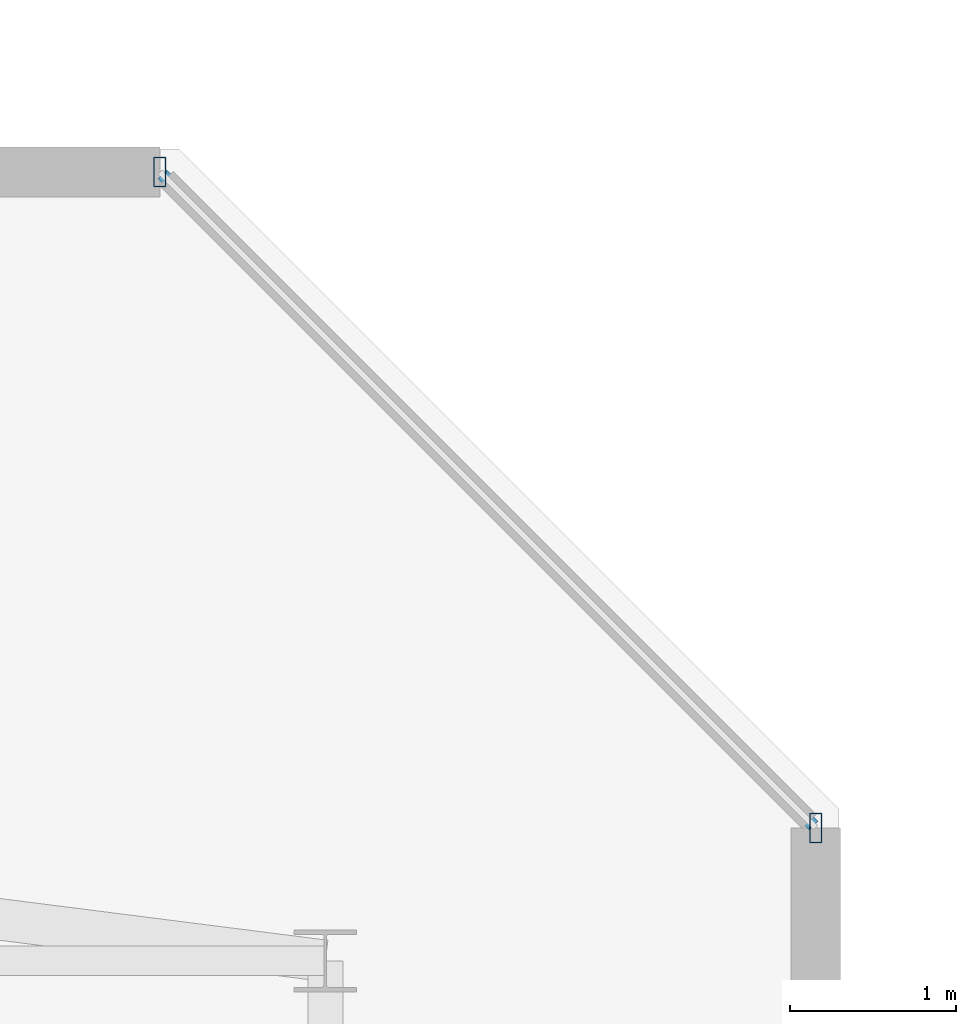
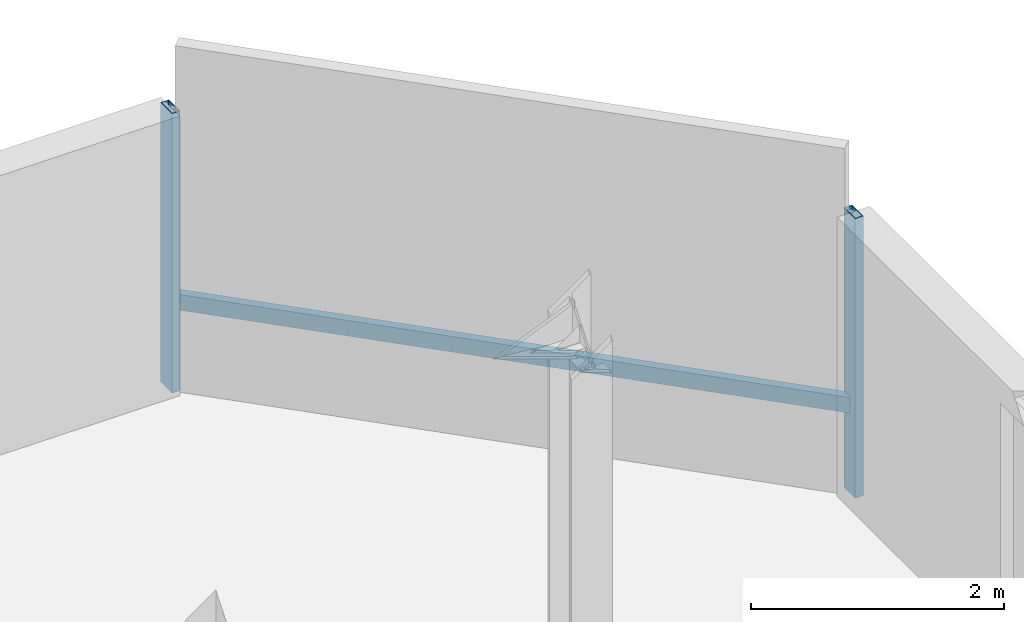
# One storey, part 12 of 34: 3 members, 1 element without a shape of its own.
"""IFC4 building model written with IfcOpenShell, lengths in metres."""

from ifc_helpers import new_model, si_unit, direction, frame, origin, origin_2d, place, context, subcontext, project, spatial, hollow_rectangle, extrude, material, material_profile, profile_set, type_object, element, aggregate, save


model = new_model("IFC4")

# Units and contexts
model_context = context("Model", 3, precision=1e-05, world=origin(), true_north=direction((0.0, 1.0)))
body_context = subcontext(model_context, "Body", "Model", "MODEL_VIEW")
ifc_project = project(units=[si_unit("LENGTHUNIT", "METRE"), si_unit("AREAUNIT", "SQUARE_METRE"), si_unit("VOLUMEUNIT", "CUBIC_METRE"), si_unit("PLANEANGLEUNIT", "RADIAN"), si_unit("MASSUNIT", "GRAM", prefix="KILO")], contexts=[model_context])

# Site, building, storey
site_placement = place(None, origin())
site = spatial("IfcSite", under=ifc_project, at=site_placement, CompositionType="ELEMENT")
building_placement = place(site_placement, origin())
building = spatial("IfcBuilding", under=site, at=building_placement, Name="Thornwick Lancets Civic Towers", CompositionType="ELEMENT")
storey_placement = place(building_placement, frame((0.0, 0.0, 258.300048828125)))
storey = spatial("IfcBuildingStorey", under=building, at=storey_placement, Name="L69", CompositionType="ELEMENT", Elevation=258.300048828125)

# Curtain wall, members
ifc_material_1 = material(Name="High-zone chamfered-corner unitised glass curtain wall", Category="glass")
curtain_wall_type = type_object("IfcCurtainWallType", Name="CW_SYS_05", PredefinedType="NOTDEFINED", material=ifc_material_1)
curtain_wall_placement = place(storey_placement, origin())
curtain_wall = element("IfcCurtainWall", 1, at=curtain_wall_placement, inside=storey, type_object=curtain_wall_type, Name="L69 Curtain Wall CW-L69-A-E3", PredefinedType="NOTDEFINED")
ifc_material_2 = material(Name="Thermally broken bronze aluminium S355", Category="steel")
ifc_material_profile_1 = material_profile(ifc_material_2, hollow_rectangle(XDim=0.074951171875, YDim=0.179931640625, WallThickness=0.006103515625, at=origin_2d()), Name="RHS 180x75x6")
ifc_profile_set_1 = profile_set([ifc_material_profile_1], Name="Thermally broken bronze aluminium S355")
member_type_1 = type_object("IfcMemberType", Name="CW_MUL_180", PredefinedType="MULLION", material=ifc_profile_set_1)
member_1_placement = place(storey_placement, frame((49.260009765625, 40.8017578125, 0.0), z_axis=(0.0, 0.0, 1.0), x_axis=(1.0, 0.0, 0.0)))
member_1 = element("IfcMember", 2, at=member_1_placement, type_object=member_type_1, Name="CW-L69-A-E3 Mullion 0", PredefinedType="MULLION", context=body_context, shape_type="SweptSolid", body=[
    extrude(hollow_rectangle(XDim=0.074951171875, YDim=0.179931640625, WallThickness=0.006103515625, at=origin_2d()), origin(), (0.0, 0.0, 1.0), 2.699951171875),
])
member_2_placement = place(storey_placement, frame((45.3017578125, 44.760009765625, 0.0), z_axis=(0.0, 0.0, 1.0), x_axis=(1.0, 0.0, 0.0)))
member_2 = element("IfcMember", 3, at=member_2_placement, type_object=member_type_1, Name="CW-L69-A-E3 Mullion 1", PredefinedType="MULLION", context=body_context, shape_type="SweptSolid", body=[
    extrude(hollow_rectangle(XDim=0.074951171875, YDim=0.179931640625, WallThickness=0.006103515625, at=origin_2d()), origin(), (0.0, 0.0, 1.0), 2.699951171875),
])
ifc_material_profile_2 = material_profile(ifc_material_2, hollow_rectangle(XDim=0.074951171875, YDim=0.14990234375, WallThickness=0.0048828125, at=origin_2d()), Name="RHS 150x75x5")
ifc_profile_set_2 = profile_set([ifc_material_profile_2], Name="Thermally broken bronze aluminium S355")
member_type_2 = type_object("IfcMemberType", Name="CW_TRN_150", PredefinedType="USERDEFINED", material=ifc_profile_set_2)
member_3_placement = place(storey_placement, frame((49.24609375, 40.81591796875, 0.849853515625), z_axis=(-0.707106781187, 0.707106781187, 0.0), x_axis=(-0.707106781187, -0.707106781187, 0.0)))
member_3 = element("IfcMember", 4, at=member_3_placement, type_object=member_type_2, Name="CW-L69-A-E3 Transom 0", ObjectType="TRANSOM", PredefinedType="USERDEFINED", context=body_context, shape_type="SweptSolid", body=[
    extrude(hollow_rectangle(XDim=0.074951171875, YDim=0.14990234375, WallThickness=0.0048828125, at=origin_2d()), origin(), (0.0, 0.0, 1.0), 5.55810546875),
])
aggregate(curtain_wall, [member_1, member_2, member_3])

save(model, "model.ifc")
